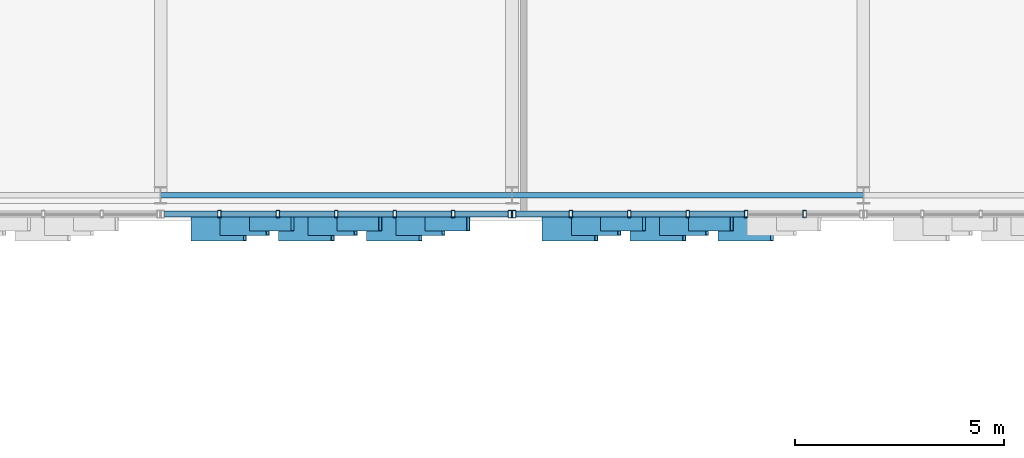
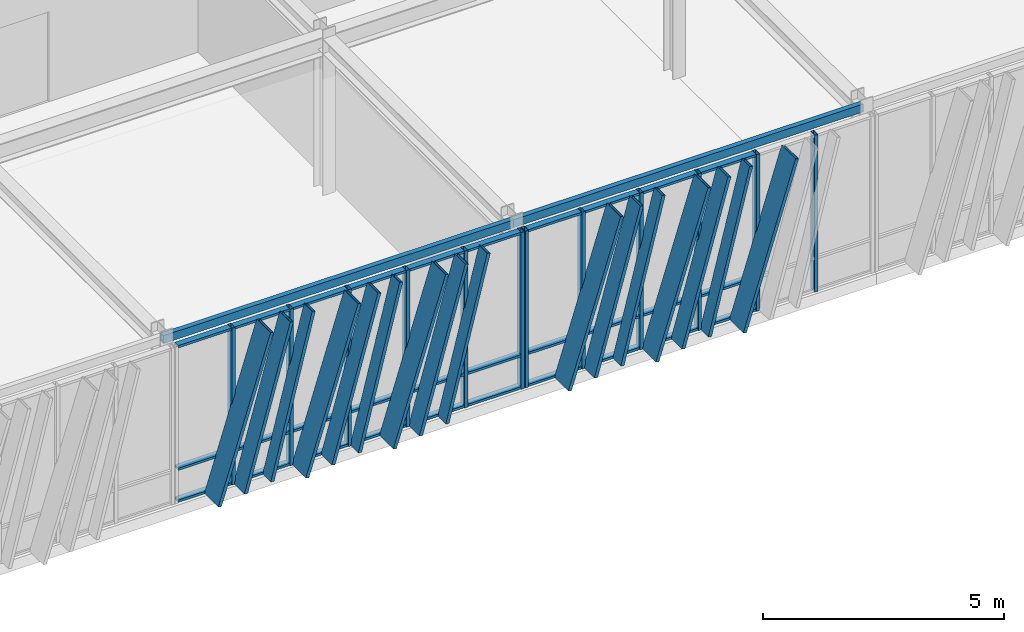
# One storey, part 21 of 123: 58 members, 2 beams, 2 elements without a shape of their own.
"""IFC4 building model written with IfcOpenShell, lengths in metres."""

from ifc_helpers import new_model, si_unit, direction, frame, origin, origin_2d, place, context, subcontext, project, spatial, hollow_rectangle, extrude, material, layer, layer_set, material_profile, profile_set, type_object, element, aggregate, save


model = new_model("IFC4")

# Units and contexts
model_context = context("Model", 3, precision=1e-05, world=origin(), true_north=direction((0.0, 1.0)))
body_context = subcontext(model_context, "Body", "Model", "MODEL_VIEW")
ifc_project = project(units=[si_unit("LENGTHUNIT", "METRE"), si_unit("AREAUNIT", "SQUARE_METRE"), si_unit("VOLUMEUNIT", "CUBIC_METRE"), si_unit("PLANEANGLEUNIT", "RADIAN"), si_unit("MASSUNIT", "GRAM", prefix="KILO")], contexts=[model_context])

# Site, building, storey
site_placement = place(None, origin())
site = spatial("IfcSite", under=ifc_project, at=site_placement, CompositionType="ELEMENT")
building_placement = place(site_placement, origin())
building = spatial("IfcBuilding", under=site, at=building_placement, Name="Zayran Congress Hotel", CompositionType="ELEMENT")
storey_placement = place(building_placement, frame((0.0, 0.0, 15.0)))
storey = spatial("IfcBuildingStorey", under=building, at=storey_placement, Name="L03", CompositionType="ELEMENT", Elevation=15.0)

# Beams
ifc_material_1 = material(Name="Steel S355", Category="steel")
ifc_material_profile_1 = material_profile(ifc_material_1, hollow_rectangle(XDim=0.1201171875, YDim=0.199951171875, WallThickness=0.008056640625, at=origin_2d()), Name="RHS 200x120x8")
ifc_profile_set_1 = profile_set([ifc_material_profile_1], Name="Steel S355")
beam_type = type_object("IfcBeamType", Name="TP-SP-02", PredefinedType="SPANDREL", material=ifc_profile_set_1)
for number, where, z_axis, x_axis, name in (
    (1, (33.60009765625, 68.199951171875, 3.8798828125), (1.0, 0.0, 0.0), (0.0, 1.0, 0.0), "BM-V1-L03-0794"),
    (2, (42.0, 68.199951171875, 3.8798828125), (1.0, 0.0, 0.0), (0.0, 1.0, 0.0), "BM-V1-L03-0795"),
):
    element("IfcBeam", number, at=place(storey_placement, frame(where, z_axis=z_axis, x_axis=x_axis)), inside=storey, type_object=beam_type, Name=name, PredefinedType="SPANDREL", context=body_context, shape_type="SweptSolid", body=[
        extrude(hollow_rectangle(XDim=0.1201171875, YDim=0.199951171875, WallThickness=0.008056640625, at=origin_2d()), origin(), (0.0, 0.0, 1.0), 8.39990234375),
    ])

# Curtain wall, members
ifc_material_2 = material(Name="Anodised aluminium and low-E insulated glass", Category="aluminium")
ifc_layer_1 = layer(ifc_material_2, 0.179931640625)
ifc_layer_set_1 = layer_set([ifc_layer_1], Name="Anodised aluminium and low-E insulated glass")
curtain_wall_type_1 = type_object("IfcCurtainWallType", Name="CW-V1S-L03-CW-11-8380-3980", PredefinedType="USERDEFINED", material=ifc_layer_set_1)
curtain_wall_1_placement = place(storey_placement, origin())
curtain_wall_1 = element("IfcCurtainWall", 3, at=curtain_wall_1_placement, inside=storey, type_object=curtain_wall_type_1, Name="CW-V1S-L03-3", ObjectType="CURTAIN WALL", PredefinedType="USERDEFINED")
ifc_material_3 = material(Name="Anodised aluminium framing", Category="aluminium")
ifc_material_profile_2 = material_profile(ifc_material_3, hollow_rectangle(XDim=0.080078125, YDim=0.179931640625, WallThickness=0.0048828125, at=origin_2d()), Name="RHS 180x80x5")
ifc_profile_set_2 = profile_set([ifc_material_profile_2], Name="Anodised aluminium framing")
member_type_1 = type_object("IfcMemberType", Name="TP-CWM-01", PredefinedType="MULLION", material=ifc_profile_set_2)
member_1_placement = place(storey_placement, frame((35.006591796875, 67.75, 0.0), z_axis=(0.0, 0.0, 1.0), x_axis=(1.0, 0.0, 0.0)))
member_1 = element("IfcMember", 4, at=member_1_placement, type_object=member_type_1, Name="CW-V1S-L03-3-M01", PredefinedType="MULLION", context=body_context, shape_type="SweptSolid", body=[
    extrude(hollow_rectangle(XDim=0.080078125, YDim=0.179931640625, WallThickness=0.0048828125, at=origin_2d()), origin(), (0.0, 0.0, 1.0), 3.97998046875),
])
member_2_placement = place(storey_placement, frame((36.4033203125, 67.75, 0.0), z_axis=(0.0, 0.0, 1.0), x_axis=(1.0, 0.0, 0.0)))
member_2 = element("IfcMember", 5, at=member_2_placement, type_object=member_type_1, Name="CW-V1S-L03-3-M02", PredefinedType="MULLION", context=body_context, shape_type="SweptSolid", body=[
    extrude(hollow_rectangle(XDim=0.080078125, YDim=0.179931640625, WallThickness=0.0048828125, at=origin_2d()), origin(), (0.0, 0.0, 1.0), 3.97998046875),
])
member_3_placement = place(storey_placement, frame((37.800048828125, 67.75, 0.0), z_axis=(0.0, 0.0, 1.0), x_axis=(1.0, 0.0, 0.0)))
member_3 = element("IfcMember", 6, at=member_3_placement, type_object=member_type_1, Name="CW-V1S-L03-3-M03", PredefinedType="MULLION", context=body_context, shape_type="SweptSolid", body=[
    extrude(hollow_rectangle(XDim=0.080078125, YDim=0.179931640625, WallThickness=0.0048828125, at=origin_2d()), origin(), (0.0, 0.0, 1.0), 3.97998046875),
])
member_4_placement = place(storey_placement, frame((39.19677734375, 67.75, 0.0), z_axis=(0.0, 0.0, 1.0), x_axis=(1.0, 0.0, 0.0)))
member_4 = element("IfcMember", 7, at=member_4_placement, type_object=member_type_1, Name="CW-V1S-L03-3-M04", PredefinedType="MULLION", context=body_context, shape_type="SweptSolid", body=[
    extrude(hollow_rectangle(XDim=0.080078125, YDim=0.179931640625, WallThickness=0.0048828125, at=origin_2d()), origin(), (0.0, 0.0, 1.0), 3.97998046875),
])
member_5_placement = place(storey_placement, frame((40.59326171875, 67.75, 0.0), z_axis=(0.0, 0.0, 1.0), x_axis=(1.0, 0.0, 0.0)))
member_5 = element("IfcMember", 8, at=member_5_placement, type_object=member_type_1, Name="CW-V1S-L03-3-M05", PredefinedType="MULLION", context=body_context, shape_type="SweptSolid", body=[
    extrude(hollow_rectangle(XDim=0.080078125, YDim=0.179931640625, WallThickness=0.0048828125, at=origin_2d()), origin(), (0.0, 0.0, 1.0), 3.97998046875),
])
member_6_placement = place(storey_placement, frame((41.949951171875, 67.75, 0.0), z_axis=(0.0, 0.0, 1.0), x_axis=(1.0, 0.0, 0.0)))
member_6 = element("IfcMember", 9, at=member_6_placement, type_object=member_type_1, Name="CW-V1S-L03-3-M06", PredefinedType="MULLION", context=body_context, shape_type="SweptSolid", body=[
    extrude(hollow_rectangle(XDim=0.080078125, YDim=0.179931640625, WallThickness=0.0048828125, at=origin_2d()), origin(), (0.0, 0.0, 1.0), 3.97998046875),
])

ifc_layer_2 = layer(ifc_material_2, 0.179931640625)
ifc_layer_set_2 = layer_set([ifc_layer_2], Name="Anodised aluminium and low-E insulated glass")
curtain_wall_type_2 = type_object("IfcCurtainWallType", Name="CW-V1S-L03-CW-12-8380-3980", PredefinedType="USERDEFINED", material=ifc_layer_set_2)
curtain_wall_2_placement = place(storey_placement, origin())
curtain_wall_2 = element("IfcCurtainWall", 10, at=curtain_wall_2_placement, inside=storey, type_object=curtain_wall_type_2, Name="CW-V1S-L03-4", ObjectType="CURTAIN WALL", PredefinedType="USERDEFINED")
member_7_placement = place(storey_placement, frame((42.050048828125, 67.75, 0.0), z_axis=(0.0, 0.0, 1.0), x_axis=(1.0, 0.0, 0.0)))
member_7 = element("IfcMember", 11, at=member_7_placement, type_object=member_type_1, Name="CW-V1S-L03-4-M00", PredefinedType="MULLION", context=body_context, shape_type="SweptSolid", body=[
    extrude(hollow_rectangle(XDim=0.080078125, YDim=0.179931640625, WallThickness=0.0048828125, at=origin_2d()), origin(), (0.0, 0.0, 1.0), 3.97998046875),
])
member_8_placement = place(storey_placement, frame((43.40673828125, 67.75, 0.0), z_axis=(0.0, 0.0, 1.0), x_axis=(1.0, 0.0, 0.0)))
member_8 = element("IfcMember", 12, at=member_8_placement, type_object=member_type_1, Name="CW-V1S-L03-4-M01", PredefinedType="MULLION", context=body_context, shape_type="SweptSolid", body=[
    extrude(hollow_rectangle(XDim=0.080078125, YDim=0.179931640625, WallThickness=0.0048828125, at=origin_2d()), origin(), (0.0, 0.0, 1.0), 3.97998046875),
])
member_9_placement = place(storey_placement, frame((44.80322265625, 67.75, 0.0), z_axis=(0.0, 0.0, 1.0), x_axis=(1.0, 0.0, 0.0)))
member_9 = element("IfcMember", 13, at=member_9_placement, type_object=member_type_1, Name="CW-V1S-L03-4-M02", PredefinedType="MULLION", context=body_context, shape_type="SweptSolid", body=[
    extrude(hollow_rectangle(XDim=0.080078125, YDim=0.179931640625, WallThickness=0.0048828125, at=origin_2d()), origin(), (0.0, 0.0, 1.0), 3.97998046875),
])
member_10_placement = place(storey_placement, frame((46.199951171875, 67.75, 0.0), z_axis=(0.0, 0.0, 1.0), x_axis=(1.0, 0.0, 0.0)))
member_10 = element("IfcMember", 14, at=member_10_placement, type_object=member_type_1, Name="CW-V1S-L03-4-M03", PredefinedType="MULLION", context=body_context, shape_type="SweptSolid", body=[
    extrude(hollow_rectangle(XDim=0.080078125, YDim=0.179931640625, WallThickness=0.0048828125, at=origin_2d()), origin(), (0.0, 0.0, 1.0), 3.97998046875),
])
member_11_placement = place(storey_placement, frame((47.5966796875, 67.75, 0.0), z_axis=(0.0, 0.0, 1.0), x_axis=(1.0, 0.0, 0.0)))
member_11 = element("IfcMember", 15, at=member_11_placement, type_object=member_type_1, Name="CW-V1S-L03-4-M04", PredefinedType="MULLION", context=body_context, shape_type="SweptSolid", body=[
    extrude(hollow_rectangle(XDim=0.080078125, YDim=0.179931640625, WallThickness=0.0048828125, at=origin_2d()), origin(), (0.0, 0.0, 1.0), 3.97998046875),
])
member_12_placement = place(storey_placement, frame((48.993408203125, 67.75, 0.0), z_axis=(0.0, 0.0, 1.0), x_axis=(1.0, 0.0, 0.0)))
member_12 = element("IfcMember", 16, at=member_12_placement, type_object=member_type_1, Name="CW-V1S-L03-4-M05", PredefinedType="MULLION", context=body_context, shape_type="SweptSolid", body=[
    extrude(hollow_rectangle(XDim=0.080078125, YDim=0.179931640625, WallThickness=0.0048828125, at=origin_2d()), origin(), (0.0, 0.0, 1.0), 3.97998046875),
])

# Member
ifc_material_profile_3 = material_profile(ifc_material_3, hollow_rectangle(XDim=0.06005859375, YDim=0.14990234375, WallThickness=0.00390625, at=origin_2d()), Name="RHS 150x60x4")
ifc_profile_set_3 = profile_set([ifc_material_profile_3], Name="Anodised aluminium framing")
member_type_2 = type_object("IfcMemberType", Name="TP-CWT-01", PredefinedType="USERDEFINED", material=ifc_profile_set_3)
member_13_placement = place(storey_placement, frame((33.68994140625, 67.75, 0.030029296875), z_axis=(1.0, 0.0, 0.0), x_axis=(0.0, 0.0, 1.0)))
member_13 = element("IfcMember", 17, at=member_13_placement, type_object=member_type_2, Name="CW-V1S-L03-3-T00-0", ObjectType="TRANSOM", PredefinedType="USERDEFINED", context=body_context, shape_type="SweptSolid", body=[
    extrude(hollow_rectangle(XDim=0.06005859375, YDim=0.14990234375, WallThickness=0.00390625, at=origin_2d()), origin(), (0.0, 0.0, 1.0), 1.27685546875),
])

member_14_placement = place(storey_placement, frame((33.68994140625, 67.75, 0.840087890625), z_axis=(1.0, 0.0, 0.0), x_axis=(0.0, 0.0, 1.0)))
member_14 = element("IfcMember", 18, at=member_14_placement, type_object=member_type_2, Name="CW-V1S-L03-3-T00-1", ObjectType="TRANSOM", PredefinedType="USERDEFINED", context=body_context, shape_type="SweptSolid", body=[
    extrude(hollow_rectangle(XDim=0.06005859375, YDim=0.14990234375, WallThickness=0.00390625, at=origin_2d()), origin(), (0.0, 0.0, 1.0), 1.27685546875),
])

member_15_placement = place(storey_placement, frame((33.68994140625, 67.75, 3.949951171875), z_axis=(1.0, 0.0, 0.0), x_axis=(0.0, 0.0, 1.0)))
member_15 = element("IfcMember", 19, at=member_15_placement, type_object=member_type_2, Name="CW-V1S-L03-3-T00-2", ObjectType="TRANSOM", PredefinedType="USERDEFINED", context=body_context, shape_type="SweptSolid", body=[
    extrude(hollow_rectangle(XDim=0.06005859375, YDim=0.14990234375, WallThickness=0.00390625, at=origin_2d()), origin(), (0.0, 0.0, 1.0), 1.27685546875),
])

member_16_placement = place(storey_placement, frame((35.046630859375, 67.75, 0.030029296875), z_axis=(1.0, 0.0, 0.0), x_axis=(0.0, 0.0, 1.0)))
member_16 = element("IfcMember", 20, at=member_16_placement, type_object=member_type_2, Name="CW-V1S-L03-3-T01-0", ObjectType="TRANSOM", PredefinedType="USERDEFINED", context=body_context, shape_type="SweptSolid", body=[
    extrude(hollow_rectangle(XDim=0.06005859375, YDim=0.14990234375, WallThickness=0.00390625, at=origin_2d()), origin(), (0.0, 0.0, 1.0), 1.316650390625),
])

member_17_placement = place(storey_placement, frame((35.046630859375, 67.75, 0.840087890625), z_axis=(1.0, 0.0, 0.0), x_axis=(0.0, 0.0, 1.0)))
member_17 = element("IfcMember", 21, at=member_17_placement, type_object=member_type_2, Name="CW-V1S-L03-3-T01-1", ObjectType="TRANSOM", PredefinedType="USERDEFINED", context=body_context, shape_type="SweptSolid", body=[
    extrude(hollow_rectangle(XDim=0.06005859375, YDim=0.14990234375, WallThickness=0.00390625, at=origin_2d()), origin(), (0.0, 0.0, 1.0), 1.316650390625),
])

member_18_placement = place(storey_placement, frame((35.046630859375, 67.75, 3.949951171875), z_axis=(1.0, 0.0, 0.0), x_axis=(0.0, 0.0, 1.0)))
member_18 = element("IfcMember", 22, at=member_18_placement, type_object=member_type_2, Name="CW-V1S-L03-3-T01-2", ObjectType="TRANSOM", PredefinedType="USERDEFINED", context=body_context, shape_type="SweptSolid", body=[
    extrude(hollow_rectangle(XDim=0.06005859375, YDim=0.14990234375, WallThickness=0.00390625, at=origin_2d()), origin(), (0.0, 0.0, 1.0), 1.316650390625),
])

member_19_placement = place(storey_placement, frame((36.443359375, 67.75, 0.030029296875), z_axis=(1.0, 0.0, 0.0), x_axis=(0.0, 0.0, 1.0)))
member_19 = element("IfcMember", 23, at=member_19_placement, type_object=member_type_2, Name="CW-V1S-L03-3-T02-0", ObjectType="TRANSOM", PredefinedType="USERDEFINED", context=body_context, shape_type="SweptSolid", body=[
    extrude(hollow_rectangle(XDim=0.06005859375, YDim=0.14990234375, WallThickness=0.00390625, at=origin_2d()), origin(), (0.0, 0.0, 1.0), 1.316650390625),
])

member_20_placement = place(storey_placement, frame((36.443359375, 67.75, 0.840087890625), z_axis=(1.0, 0.0, 0.0), x_axis=(0.0, 0.0, 1.0)))
member_20 = element("IfcMember", 24, at=member_20_placement, type_object=member_type_2, Name="CW-V1S-L03-3-T02-1", ObjectType="TRANSOM", PredefinedType="USERDEFINED", context=body_context, shape_type="SweptSolid", body=[
    extrude(hollow_rectangle(XDim=0.06005859375, YDim=0.14990234375, WallThickness=0.00390625, at=origin_2d()), origin(), (0.0, 0.0, 1.0), 1.316650390625),
])

member_21_placement = place(storey_placement, frame((36.443359375, 67.75, 3.949951171875), z_axis=(1.0, 0.0, 0.0), x_axis=(0.0, 0.0, 1.0)))
member_21 = element("IfcMember", 25, at=member_21_placement, type_object=member_type_2, Name="CW-V1S-L03-3-T02-2", ObjectType="TRANSOM", PredefinedType="USERDEFINED", context=body_context, shape_type="SweptSolid", body=[
    extrude(hollow_rectangle(XDim=0.06005859375, YDim=0.14990234375, WallThickness=0.00390625, at=origin_2d()), origin(), (0.0, 0.0, 1.0), 1.316650390625),
])

member_22_placement = place(storey_placement, frame((37.840087890625, 67.75, 0.030029296875), z_axis=(1.0, 0.0, 0.0), x_axis=(0.0, 0.0, 1.0)))
member_22 = element("IfcMember", 26, at=member_22_placement, type_object=member_type_2, Name="CW-V1S-L03-3-T03-0", ObjectType="TRANSOM", PredefinedType="USERDEFINED", context=body_context, shape_type="SweptSolid", body=[
    extrude(hollow_rectangle(XDim=0.06005859375, YDim=0.14990234375, WallThickness=0.00390625, at=origin_2d()), origin(), (0.0, 0.0, 1.0), 1.316650390625),
])

member_23_placement = place(storey_placement, frame((37.840087890625, 67.75, 0.840087890625), z_axis=(1.0, 0.0, 0.0), x_axis=(0.0, 0.0, 1.0)))
member_23 = element("IfcMember", 27, at=member_23_placement, type_object=member_type_2, Name="CW-V1S-L03-3-T03-1", ObjectType="TRANSOM", PredefinedType="USERDEFINED", context=body_context, shape_type="SweptSolid", body=[
    extrude(hollow_rectangle(XDim=0.06005859375, YDim=0.14990234375, WallThickness=0.00390625, at=origin_2d()), origin(), (0.0, 0.0, 1.0), 1.316650390625),
])

member_24_placement = place(storey_placement, frame((37.840087890625, 67.75, 3.949951171875), z_axis=(1.0, 0.0, 0.0), x_axis=(0.0, 0.0, 1.0)))
member_24 = element("IfcMember", 28, at=member_24_placement, type_object=member_type_2, Name="CW-V1S-L03-3-T03-2", ObjectType="TRANSOM", PredefinedType="USERDEFINED", context=body_context, shape_type="SweptSolid", body=[
    extrude(hollow_rectangle(XDim=0.06005859375, YDim=0.14990234375, WallThickness=0.00390625, at=origin_2d()), origin(), (0.0, 0.0, 1.0), 1.316650390625),
])

member_25_placement = place(storey_placement, frame((39.23681640625, 67.75, 0.030029296875), z_axis=(1.0, 0.0, 0.0), x_axis=(0.0, 0.0, 1.0)))
member_25 = element("IfcMember", 29, at=member_25_placement, type_object=member_type_2, Name="CW-V1S-L03-3-T04-0", ObjectType="TRANSOM", PredefinedType="USERDEFINED", context=body_context, shape_type="SweptSolid", body=[
    extrude(hollow_rectangle(XDim=0.06005859375, YDim=0.14990234375, WallThickness=0.00390625, at=origin_2d()), origin(), (0.0, 0.0, 1.0), 1.31640625),
])

member_26_placement = place(storey_placement, frame((39.23681640625, 67.75, 0.840087890625), z_axis=(1.0, 0.0, 0.0), x_axis=(0.0, 0.0, 1.0)))
member_26 = element("IfcMember", 30, at=member_26_placement, type_object=member_type_2, Name="CW-V1S-L03-3-T04-1", ObjectType="TRANSOM", PredefinedType="USERDEFINED", context=body_context, shape_type="SweptSolid", body=[
    extrude(hollow_rectangle(XDim=0.06005859375, YDim=0.14990234375, WallThickness=0.00390625, at=origin_2d()), origin(), (0.0, 0.0, 1.0), 1.31640625),
])

member_27_placement = place(storey_placement, frame((39.23681640625, 67.75, 3.949951171875), z_axis=(1.0, 0.0, 0.0), x_axis=(0.0, 0.0, 1.0)))
member_27 = element("IfcMember", 31, at=member_27_placement, type_object=member_type_2, Name="CW-V1S-L03-3-T04-2", ObjectType="TRANSOM", PredefinedType="USERDEFINED", context=body_context, shape_type="SweptSolid", body=[
    extrude(hollow_rectangle(XDim=0.06005859375, YDim=0.14990234375, WallThickness=0.00390625, at=origin_2d()), origin(), (0.0, 0.0, 1.0), 1.31640625),
])

member_28_placement = place(storey_placement, frame((40.63330078125, 67.75, 0.030029296875), z_axis=(1.0, 0.0, 0.0), x_axis=(0.0, 0.0, 1.0)))
member_28 = element("IfcMember", 32, at=member_28_placement, type_object=member_type_2, Name="CW-V1S-L03-3-T05-0", ObjectType="TRANSOM", PredefinedType="USERDEFINED", context=body_context, shape_type="SweptSolid", body=[
    extrude(hollow_rectangle(XDim=0.06005859375, YDim=0.14990234375, WallThickness=0.00390625, at=origin_2d()), origin(), (0.0, 0.0, 1.0), 1.276611328125),
])

member_29_placement = place(storey_placement, frame((40.63330078125, 67.75, 0.840087890625), z_axis=(1.0, 0.0, 0.0), x_axis=(0.0, 0.0, 1.0)))
member_29 = element("IfcMember", 33, at=member_29_placement, type_object=member_type_2, Name="CW-V1S-L03-3-T05-1", ObjectType="TRANSOM", PredefinedType="USERDEFINED", context=body_context, shape_type="SweptSolid", body=[
    extrude(hollow_rectangle(XDim=0.06005859375, YDim=0.14990234375, WallThickness=0.00390625, at=origin_2d()), origin(), (0.0, 0.0, 1.0), 1.276611328125),
])

member_30_placement = place(storey_placement, frame((40.63330078125, 67.75, 3.949951171875), z_axis=(1.0, 0.0, 0.0), x_axis=(0.0, 0.0, 1.0)))
member_30 = element("IfcMember", 34, at=member_30_placement, type_object=member_type_2, Name="CW-V1S-L03-3-T05-2", ObjectType="TRANSOM", PredefinedType="USERDEFINED", context=body_context, shape_type="SweptSolid", body=[
    extrude(hollow_rectangle(XDim=0.06005859375, YDim=0.14990234375, WallThickness=0.00390625, at=origin_2d()), origin(), (0.0, 0.0, 1.0), 1.276611328125),
])

member_31_placement = place(storey_placement, frame((42.090087890625, 67.75, 0.030029296875), z_axis=(1.0, 0.0, 0.0), x_axis=(0.0, 0.0, 1.0)))
member_31 = element("IfcMember", 35, at=member_31_placement, type_object=member_type_2, Name="CW-V1S-L03-4-T00-0", ObjectType="TRANSOM", PredefinedType="USERDEFINED", context=body_context, shape_type="SweptSolid", body=[
    extrude(hollow_rectangle(XDim=0.06005859375, YDim=0.14990234375, WallThickness=0.00390625, at=origin_2d()), origin(), (0.0, 0.0, 1.0), 1.276611328125),
])

member_32_placement = place(storey_placement, frame((42.090087890625, 67.75, 0.840087890625), z_axis=(1.0, 0.0, 0.0), x_axis=(0.0, 0.0, 1.0)))
member_32 = element("IfcMember", 36, at=member_32_placement, type_object=member_type_2, Name="CW-V1S-L03-4-T00-1", ObjectType="TRANSOM", PredefinedType="USERDEFINED", context=body_context, shape_type="SweptSolid", body=[
    extrude(hollow_rectangle(XDim=0.06005859375, YDim=0.14990234375, WallThickness=0.00390625, at=origin_2d()), origin(), (0.0, 0.0, 1.0), 1.276611328125),
])

member_33_placement = place(storey_placement, frame((42.090087890625, 67.75, 3.949951171875), z_axis=(1.0, 0.0, 0.0), x_axis=(0.0, 0.0, 1.0)))
member_33 = element("IfcMember", 37, at=member_33_placement, type_object=member_type_2, Name="CW-V1S-L03-4-T00-2", ObjectType="TRANSOM", PredefinedType="USERDEFINED", context=body_context, shape_type="SweptSolid", body=[
    extrude(hollow_rectangle(XDim=0.06005859375, YDim=0.14990234375, WallThickness=0.00390625, at=origin_2d()), origin(), (0.0, 0.0, 1.0), 1.276611328125),
])

member_34_placement = place(storey_placement, frame((43.44677734375, 67.75, 0.030029296875), z_axis=(1.0, 0.0, 0.0), x_axis=(0.0, 0.0, 1.0)))
member_34 = element("IfcMember", 38, at=member_34_placement, type_object=member_type_2, Name="CW-V1S-L03-4-T01-0", ObjectType="TRANSOM", PredefinedType="USERDEFINED", context=body_context, shape_type="SweptSolid", body=[
    extrude(hollow_rectangle(XDim=0.06005859375, YDim=0.14990234375, WallThickness=0.00390625, at=origin_2d()), origin(), (0.0, 0.0, 1.0), 1.31640625),
])

member_35_placement = place(storey_placement, frame((43.44677734375, 67.75, 0.840087890625), z_axis=(1.0, 0.0, 0.0), x_axis=(0.0, 0.0, 1.0)))
member_35 = element("IfcMember", 39, at=member_35_placement, type_object=member_type_2, Name="CW-V1S-L03-4-T01-1", ObjectType="TRANSOM", PredefinedType="USERDEFINED", context=body_context, shape_type="SweptSolid", body=[
    extrude(hollow_rectangle(XDim=0.06005859375, YDim=0.14990234375, WallThickness=0.00390625, at=origin_2d()), origin(), (0.0, 0.0, 1.0), 1.31640625),
])

member_36_placement = place(storey_placement, frame((43.44677734375, 67.75, 3.949951171875), z_axis=(1.0, 0.0, 0.0), x_axis=(0.0, 0.0, 1.0)))
member_36 = element("IfcMember", 40, at=member_36_placement, type_object=member_type_2, Name="CW-V1S-L03-4-T01-2", ObjectType="TRANSOM", PredefinedType="USERDEFINED", context=body_context, shape_type="SweptSolid", body=[
    extrude(hollow_rectangle(XDim=0.06005859375, YDim=0.14990234375, WallThickness=0.00390625, at=origin_2d()), origin(), (0.0, 0.0, 1.0), 1.31640625),
])

member_37_placement = place(storey_placement, frame((44.84326171875, 67.75, 0.030029296875), z_axis=(1.0, 0.0, 0.0), x_axis=(0.0, 0.0, 1.0)))
member_37 = element("IfcMember", 41, at=member_37_placement, type_object=member_type_2, Name="CW-V1S-L03-4-T02-0", ObjectType="TRANSOM", PredefinedType="USERDEFINED", context=body_context, shape_type="SweptSolid", body=[
    extrude(hollow_rectangle(XDim=0.06005859375, YDim=0.14990234375, WallThickness=0.00390625, at=origin_2d()), origin(), (0.0, 0.0, 1.0), 1.316650390625),
])

member_38_placement = place(storey_placement, frame((44.84326171875, 67.75, 0.840087890625), z_axis=(1.0, 0.0, 0.0), x_axis=(0.0, 0.0, 1.0)))
member_38 = element("IfcMember", 42, at=member_38_placement, type_object=member_type_2, Name="CW-V1S-L03-4-T02-1", ObjectType="TRANSOM", PredefinedType="USERDEFINED", context=body_context, shape_type="SweptSolid", body=[
    extrude(hollow_rectangle(XDim=0.06005859375, YDim=0.14990234375, WallThickness=0.00390625, at=origin_2d()), origin(), (0.0, 0.0, 1.0), 1.316650390625),
])

member_39_placement = place(storey_placement, frame((44.84326171875, 67.75, 3.949951171875), z_axis=(1.0, 0.0, 0.0), x_axis=(0.0, 0.0, 1.0)))
member_39 = element("IfcMember", 43, at=member_39_placement, type_object=member_type_2, Name="CW-V1S-L03-4-T02-2", ObjectType="TRANSOM", PredefinedType="USERDEFINED", context=body_context, shape_type="SweptSolid", body=[
    extrude(hollow_rectangle(XDim=0.06005859375, YDim=0.14990234375, WallThickness=0.00390625, at=origin_2d()), origin(), (0.0, 0.0, 1.0), 1.316650390625),
])

member_40_placement = place(storey_placement, frame((46.239990234375, 67.75, 0.030029296875), z_axis=(1.0, 0.0, 0.0), x_axis=(0.0, 0.0, 1.0)))
member_40 = element("IfcMember", 44, at=member_40_placement, type_object=member_type_2, Name="CW-V1S-L03-4-T03-0", ObjectType="TRANSOM", PredefinedType="USERDEFINED", context=body_context, shape_type="SweptSolid", body=[
    extrude(hollow_rectangle(XDim=0.06005859375, YDim=0.14990234375, WallThickness=0.00390625, at=origin_2d()), origin(), (0.0, 0.0, 1.0), 1.316650390625),
])

member_41_placement = place(storey_placement, frame((46.239990234375, 67.75, 0.840087890625), z_axis=(1.0, 0.0, 0.0), x_axis=(0.0, 0.0, 1.0)))
member_41 = element("IfcMember", 45, at=member_41_placement, type_object=member_type_2, Name="CW-V1S-L03-4-T03-1", ObjectType="TRANSOM", PredefinedType="USERDEFINED", context=body_context, shape_type="SweptSolid", body=[
    extrude(hollow_rectangle(XDim=0.06005859375, YDim=0.14990234375, WallThickness=0.00390625, at=origin_2d()), origin(), (0.0, 0.0, 1.0), 1.316650390625),
])

member_42_placement = place(storey_placement, frame((46.239990234375, 67.75, 3.949951171875), z_axis=(1.0, 0.0, 0.0), x_axis=(0.0, 0.0, 1.0)))
member_42 = element("IfcMember", 46, at=member_42_placement, type_object=member_type_2, Name="CW-V1S-L03-4-T03-2", ObjectType="TRANSOM", PredefinedType="USERDEFINED", context=body_context, shape_type="SweptSolid", body=[
    extrude(hollow_rectangle(XDim=0.06005859375, YDim=0.14990234375, WallThickness=0.00390625, at=origin_2d()), origin(), (0.0, 0.0, 1.0), 1.316650390625),
])

ifc_material_4 = material(Name="Warm bronze anodised aluminium", Category="aluminium")
ifc_material_profile_4 = material_profile(ifc_material_4, hollow_rectangle(XDim=0.080078125, YDim=0.580078125, WallThickness=0.006103515625, at=origin_2d()), Name="RHS 580x80x6")
ifc_profile_set_4 = profile_set([ifc_material_profile_4], Name="Warm bronze anodised aluminium")
member_type_3 = type_object("IfcMemberType", Name="TP-RFN-01", PredefinedType="MULLION", material=ifc_profile_set_4)
member_43_placement = place(storey_placement, frame((34.360107421875, 67.39990234375, 0.0), z_axis=(0.300705753938, 0.0, 0.953716965115), x_axis=(-0.953716965115, 0.0, 0.300705753938)))
member_43 = element("IfcMember", 47, at=member_43_placement, type_object=member_type_3, Name="Slanting Reed Mullion CW-11-01", PredefinedType="MULLION", context=body_context, shape_type="SweptSolid", body=[
    extrude(hollow_rectangle(XDim=0.080078125, YDim=0.580078125, WallThickness=0.006103515625, at=origin_2d()), origin(), (0.0, 0.0, 1.0), 4.173095703125),
])

member_44_placement = place(storey_placement, frame((36.4599609375, 67.39990234375, 0.0), z_axis=(0.300705753938, 0.0, 0.953716965115), x_axis=(-0.953716965115, 0.0, 0.300705753938)))
member_44 = element("IfcMember", 48, at=member_44_placement, type_object=member_type_3, Name="Slanting Reed Mullion CW-11-04", PredefinedType="MULLION", context=body_context, shape_type="SweptSolid", body=[
    extrude(hollow_rectangle(XDim=0.080078125, YDim=0.580078125, WallThickness=0.006103515625, at=origin_2d()), origin(), (0.0, 0.0, 1.0), 4.173095703125),
])

member_45_placement = place(storey_placement, frame((38.56005859375, 67.39990234375, 0.0), z_axis=(0.300705753938, 0.0, 0.953716965115), x_axis=(-0.953716965115, 0.0, 0.300705753938)))
member_45 = element("IfcMember", 49, at=member_45_placement, type_object=member_type_3, Name="Slanting Reed Mullion CW-11-07", PredefinedType="MULLION", context=body_context, shape_type="SweptSolid", body=[
    extrude(hollow_rectangle(XDim=0.080078125, YDim=0.580078125, WallThickness=0.006103515625, at=origin_2d()), origin(), (0.0, 0.0, 1.0), 4.173095703125),
])

member_46_placement = place(storey_placement, frame((42.760009765625, 67.39990234375, 0.0), z_axis=(0.300705753938, 0.0, 0.953716965115), x_axis=(-0.953716965115, 0.0, 0.300705753938)))
member_46 = element("IfcMember", 50, at=member_46_placement, type_object=member_type_3, Name="Slanting Reed Mullion CW-12-01", PredefinedType="MULLION", context=body_context, shape_type="SweptSolid", body=[
    extrude(hollow_rectangle(XDim=0.080078125, YDim=0.580078125, WallThickness=0.006103515625, at=origin_2d()), origin(), (0.0, 0.0, 1.0), 4.173095703125),
])

member_47_placement = place(storey_placement, frame((44.860107421875, 67.39990234375, 0.0), z_axis=(0.300705753938, 0.0, 0.953716965115), x_axis=(-0.953716965115, 0.0, 0.300705753938)))
member_47 = element("IfcMember", 51, at=member_47_placement, type_object=member_type_3, Name="Slanting Reed Mullion CW-12-04", PredefinedType="MULLION", context=body_context, shape_type="SweptSolid", body=[
    extrude(hollow_rectangle(XDim=0.080078125, YDim=0.580078125, WallThickness=0.006103515625, at=origin_2d()), origin(), (0.0, 0.0, 1.0), 4.173095703125),
])

member_48_placement = place(storey_placement, frame((46.9599609375, 67.39990234375, 0.0), z_axis=(0.300705753938, 0.0, 0.953716965115), x_axis=(-0.953716965115, 0.0, 0.300705753938)))
member_48 = element("IfcMember", 52, at=member_48_placement, type_object=member_type_3, Name="Slanting Reed Mullion CW-12-07", PredefinedType="MULLION", context=body_context, shape_type="SweptSolid", body=[
    extrude(hollow_rectangle(XDim=0.080078125, YDim=0.580078125, WallThickness=0.006103515625, at=origin_2d()), origin(), (0.0, 0.0, 1.0), 4.173095703125),
])

ifc_material_profile_5 = material_profile(ifc_material_4, hollow_rectangle(XDim=0.080078125, YDim=0.449951171875, WallThickness=0.006103515625, at=origin_2d()), Name="RHS 450x80x6")
ifc_profile_set_5 = profile_set([ifc_material_profile_5], Name="Warm bronze anodised aluminium")
member_type_4 = type_object("IfcMemberType", Name="TP-RFN-02", PredefinedType="MULLION", material=ifc_profile_set_5)
member_49_placement = place(storey_placement, frame((35.06005859375, 67.465087890625, 0.0), z_axis=(0.267241410526, 0.0, 0.963629611677), x_axis=(-0.963629611677, 0.0, 0.267241410526)))
member_49 = element("IfcMember", 53, at=member_49_placement, type_object=member_type_4, Name="Slanting Reed Mullion CW-11-02", PredefinedType="MULLION", context=body_context, shape_type="SweptSolid", body=[
    extrude(hollow_rectangle(XDim=0.080078125, YDim=0.449951171875, WallThickness=0.006103515625, at=origin_2d()), origin(), (0.0, 0.0, 1.0), 4.130126953125),
])

member_50_placement = place(storey_placement, frame((37.159912109375, 67.465087890625, 0.0), z_axis=(0.267296298756, 0.0, 0.963614387954), x_axis=(-0.963614387954, 0.0, 0.267296298756)))
member_50 = element("IfcMember", 54, at=member_50_placement, type_object=member_type_4, Name="Slanting Reed Mullion CW-11-05", PredefinedType="MULLION", context=body_context, shape_type="SweptSolid", body=[
    extrude(hollow_rectangle(XDim=0.080078125, YDim=0.449951171875, WallThickness=0.006103515625, at=origin_2d()), origin(), (0.0, 0.0, 1.0), 4.13037109375),
])

member_51_placement = place(storey_placement, frame((39.260009765625, 67.465087890625, 0.0), z_axis=(0.267241410526, 0.0, 0.963629611677), x_axis=(-0.963629611677, 0.0, 0.267241410526)))
member_51 = element("IfcMember", 55, at=member_51_placement, type_object=member_type_4, Name="Slanting Reed Mullion CW-11-08", PredefinedType="MULLION", context=body_context, shape_type="SweptSolid", body=[
    extrude(hollow_rectangle(XDim=0.080078125, YDim=0.449951171875, WallThickness=0.006103515625, at=origin_2d()), origin(), (0.0, 0.0, 1.0), 4.130126953125),
])

member_52_placement = place(storey_placement, frame((43.4599609375, 67.465087890625, 0.0), z_axis=(0.267241410526, 0.0, 0.963629611677), x_axis=(-0.963629611677, 0.0, 0.267241410526)))
member_52 = element("IfcMember", 56, at=member_52_placement, type_object=member_type_4, Name="Slanting Reed Mullion CW-12-02", PredefinedType="MULLION", context=body_context, shape_type="SweptSolid", body=[
    extrude(hollow_rectangle(XDim=0.080078125, YDim=0.449951171875, WallThickness=0.006103515625, at=origin_2d()), origin(), (0.0, 0.0, 1.0), 4.130126953125),
])

member_53_placement = place(storey_placement, frame((45.56005859375, 67.465087890625, 0.0), z_axis=(0.267241410526, 0.0, 0.963629611677), x_axis=(-0.963629611677, 0.0, 0.267241410526)))
member_53 = element("IfcMember", 57, at=member_53_placement, type_object=member_type_4, Name="Slanting Reed Mullion CW-12-05", PredefinedType="MULLION", context=body_context, shape_type="SweptSolid", body=[
    extrude(hollow_rectangle(XDim=0.080078125, YDim=0.449951171875, WallThickness=0.006103515625, at=origin_2d()), origin(), (0.0, 0.0, 1.0), 4.130126953125),
])

ifc_material_profile_6 = material_profile(ifc_material_4, hollow_rectangle(XDim=0.080078125, YDim=0.340087890625, WallThickness=0.006103515625, at=origin_2d()), Name="RHS 340x80x6")
ifc_profile_set_6 = profile_set([ifc_material_profile_6], Name="Warm bronze anodised aluminium")
member_type_5 = type_object("IfcMemberType", Name="TP-RFN-03", PredefinedType="MULLION", material=ifc_profile_set_6)
member_54_placement = place(storey_placement, frame((35.760009765625, 67.52001953125, 0.0), z_axis=(0.24189134958, 0.0, 0.970303341743), x_axis=(-0.970303341743, 0.0, 0.24189134958)))
member_54 = element("IfcMember", 58, at=member_54_placement, type_object=member_type_5, Name="Slanting Reed Mullion CW-11-03", PredefinedType="MULLION", context=body_context, shape_type="SweptSolid", body=[
    extrude(hollow_rectangle(XDim=0.080078125, YDim=0.340087890625, WallThickness=0.006103515625, at=origin_2d()), origin(), (0.0, 0.0, 1.0), 4.101806640625),
])

member_55_placement = place(storey_placement, frame((37.860107421875, 67.52001953125, 0.0), z_axis=(0.24189134958, 0.0, 0.970303341743), x_axis=(-0.970303341743, 0.0, 0.24189134958)))
member_55 = element("IfcMember", 59, at=member_55_placement, type_object=member_type_5, Name="Slanting Reed Mullion CW-11-06", PredefinedType="MULLION", context=body_context, shape_type="SweptSolid", body=[
    extrude(hollow_rectangle(XDim=0.080078125, YDim=0.340087890625, WallThickness=0.006103515625, at=origin_2d()), origin(), (0.0, 0.0, 1.0), 4.101806640625),
])

member_56_placement = place(storey_placement, frame((39.9599609375, 67.52001953125, 0.0), z_axis=(0.241947386249, 0.0, 0.970289370388), x_axis=(-0.970289370388, 0.0, 0.241947386249)))
member_56 = element("IfcMember", 60, at=member_56_placement, type_object=member_type_5, Name="Slanting Reed Mullion CW-11-09", PredefinedType="MULLION", context=body_context, shape_type="SweptSolid", body=[
    extrude(hollow_rectangle(XDim=0.080078125, YDim=0.340087890625, WallThickness=0.006103515625, at=origin_2d()), origin(), (0.0, 0.0, 1.0), 4.101806640625),
])

aggregate(curtain_wall_1, [member_1, member_2, member_3, member_4, member_5, member_6, member_13, member_14, member_15, member_16, member_17, member_18, member_19, member_20, member_21, member_22, member_23, member_24, member_25, member_26, member_27, member_28, member_29, member_30, member_43, member_49, member_54, member_44, member_50, member_55, member_45, member_51, member_56])

member_57_placement = place(storey_placement, frame((44.159912109375, 67.52001953125, 0.0), z_axis=(0.241947386249, 0.0, 0.970289370388), x_axis=(-0.970289370388, 0.0, 0.241947386249)))
member_57 = element("IfcMember", 61, at=member_57_placement, type_object=member_type_5, Name="Slanting Reed Mullion CW-12-03", PredefinedType="MULLION", context=body_context, shape_type="SweptSolid", body=[
    extrude(hollow_rectangle(XDim=0.080078125, YDim=0.340087890625, WallThickness=0.006103515625, at=origin_2d()), origin(), (0.0, 0.0, 1.0), 4.101806640625),
])

member_58_placement = place(storey_placement, frame((46.260009765625, 67.52001953125, 0.0), z_axis=(0.24189134958, 0.0, 0.970303341743), x_axis=(-0.970303341743, 0.0, 0.24189134958)))
member_58 = element("IfcMember", 62, at=member_58_placement, type_object=member_type_5, Name="Slanting Reed Mullion CW-12-06", PredefinedType="MULLION", context=body_context, shape_type="SweptSolid", body=[
    extrude(hollow_rectangle(XDim=0.080078125, YDim=0.340087890625, WallThickness=0.006103515625, at=origin_2d()), origin(), (0.0, 0.0, 1.0), 4.101806640625),
])

aggregate(curtain_wall_2, [member_7, member_8, member_9, member_10, member_11, member_12, member_31, member_32, member_33, member_34, member_35, member_36, member_37, member_38, member_39, member_40, member_41, member_42, member_46, member_52, member_57, member_47, member_53, member_58, member_48])

save(model, "model.ifc")
